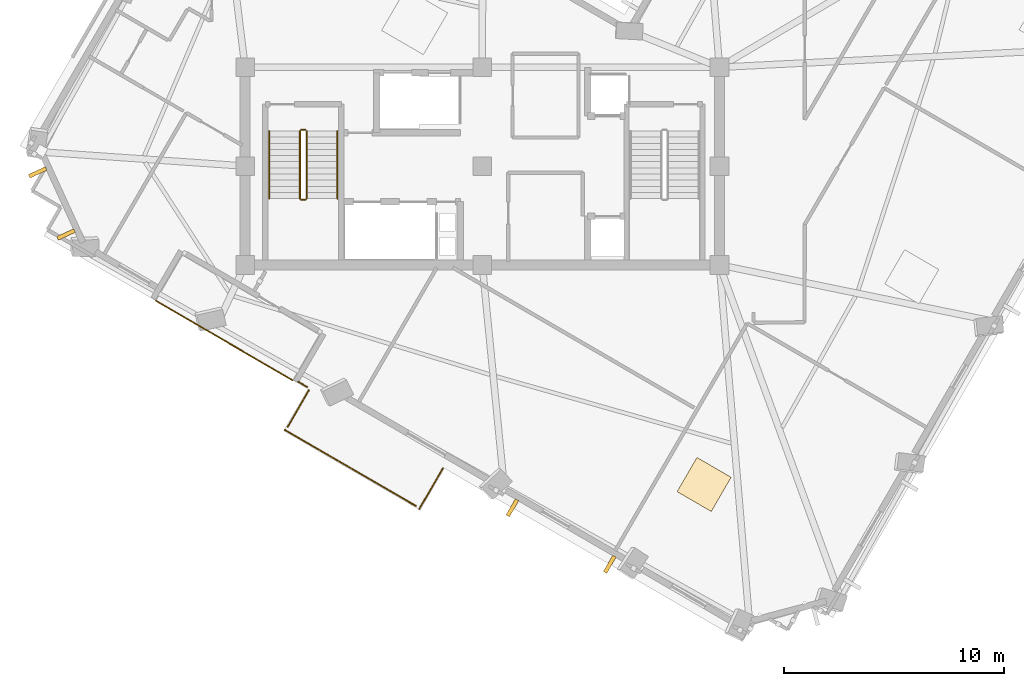
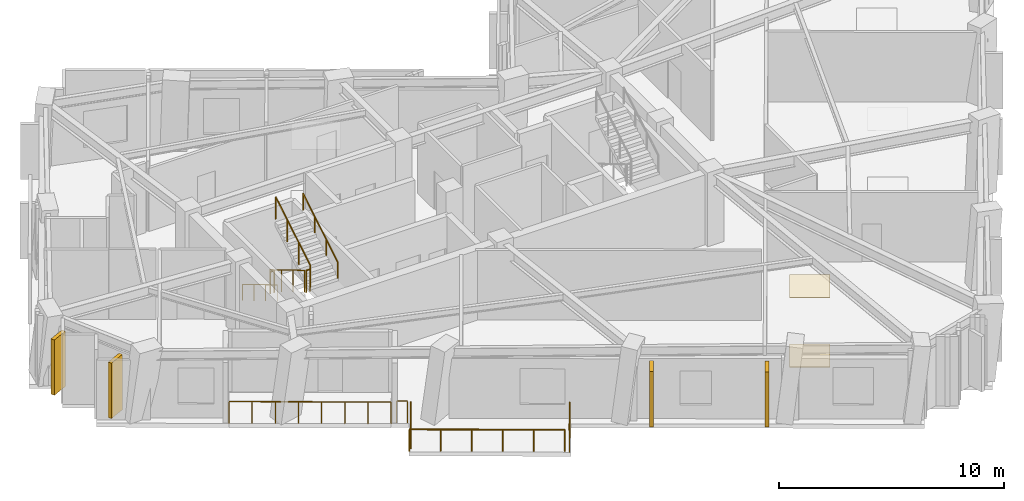
# One storey, part 9 of 12: 11 railings, 4 shading devices, 2 coverings.
"""IFC4 building model written with IfcOpenShell, lengths in metres."""

from ifc_helpers import new_model, si_unit, direction, frame, origin, origin_2d, place, context, subcontext, project, spatial, rectangle, circle, extrude, material, layer, layer_set, type_object, element, save


model = new_model("IFC4")

# Units and contexts
model_context = context("Model", 3, precision=1e-05, world=origin(), true_north=direction((0.0, 1.0)))
body_context = subcontext(model_context, "Body", "Model", "MODEL_VIEW")
ifc_project = project(units=[si_unit("LENGTHUNIT", "METRE"), si_unit("AREAUNIT", "SQUARE_METRE"), si_unit("VOLUMEUNIT", "CUBIC_METRE"), si_unit("PLANEANGLEUNIT", "RADIAN"), si_unit("MASSUNIT", "GRAM", prefix="KILO")], contexts=[model_context])

# Site, building, storey
site_placement = place(None, origin())
site = spatial("IfcSite", under=ifc_project, at=site_placement, CompositionType="ELEMENT")
building_placement = place(site_placement, origin())
building = spatial("IfcBuilding", under=site, at=building_placement, Name="Gaonmaruhae Medical Tower", CompositionType="ELEMENT")
storey_placement = place(building_placement, frame((0.0, 0.0, 280.60009765625)))
storey = spatial("IfcBuildingStorey", under=building, at=storey_placement, Name="L67", CompositionType="ELEMENT", Elevation=280.60009765625)

# Coverings
ifc_material_1 = material(Name="Acoustic mineral ceiling tile", Category="finish")
ifc_layer_1 = layer(ifc_material_1, 0.02490234375)
ifc_layer_set_1 = layer_set([ifc_layer_1], Name="Acoustic mineral ceiling tile")
covering_type_1 = type_object("IfcCoveringType", Name="CLG-01 Antimicrobial Acoustic Mineral Ceiling", PredefinedType="CEILING", material=ifc_layer_set_1)
covering_1_placement = place(storey_placement, frame((34.902099609375, -2.19873046875, 3.7548828125), z_axis=(0.0, 0.0, 1.0), x_axis=(0.502265533143, 0.86471344052, 0.0)))
element("IfcCovering", 1, at=covering_1_placement, inside=storey, type_object=covering_type_1, Name="L67 Clinical Room Acoustic Ceiling 2", PredefinedType="CEILING", context=body_context, shape_type="SweptSolid", body=[
    extrude(rectangle(XDim=1.800048828125, YDim=1.800048828125, at=origin_2d()), origin(), (0.0, 0.0, 1.0), 0.02490234375),
])
ifc_material_2 = material(Name="Seamless clinical vinyl flooring", Category="finish")
ifc_layer_2 = layer(ifc_material_2, 0.014892578125)
ifc_layer_set_2 = layer_set([ifc_layer_2], Name="Seamless clinical vinyl flooring")
covering_type_2 = type_object("IfcCoveringType", Name="FLR-01 Seamless Clinical Antistatic Vinyl Flooring", PredefinedType="FLOORING", material=ifc_layer_set_2)
covering_2_placement = place(storey_placement, frame((34.902099609375, -2.19873046875, 0.0), z_axis=(0.0, 0.0, 1.0), x_axis=(0.502265533143, 0.86471344052, 0.0)))
element("IfcCovering", 2, at=covering_2_placement, inside=storey, type_object=covering_type_2, Name="L67 Clinical Room Vinyl Flooring 2", PredefinedType="FLOORING", context=body_context, shape_type="SweptSolid", body=[
    extrude(rectangle(XDim=1.800048828125, YDim=1.800048828125, at=origin_2d()), origin(), (0.0, 0.0, 1.0), 0.014892578125),
])

# Railings
ifc_material_3 = material(Name="Stainless steel 316L and laminated safety glass", Category="steel")
ifc_layer_3 = layer(ifc_material_3, 0.080078125)
ifc_layer_set_3 = layer_set([ifc_layer_3], Name="Stainless steel 316L and laminated safety glass")
railing_type_1 = type_object("IfcRailingType", Name="GD-120 Outdoor Terrace Safety Glass & Steel Balustrade", PredefinedType="BALUSTRADE", material=ifc_layer_set_3)
railing_1_placement = place(storey_placement, frame((9.938232421875, 6.1630859375, 0.0)))
element("IfcRailing", 3, at=railing_1_placement, inside=storey, type_object=railing_type_1, Name="L67 Terrace Safety Guard RL-SLB-L67-TER-04", PredefinedType="BALUSTRADE", context=body_context, shape_type="SweptSolid", body=[
    extrude(circle(Radius=0.02392578125, at=origin_2d()), frame((0.0, 0.0, 1.17578125), z_axis=(0.864724342546, -0.502246763462, 0.0), x_axis=(0.502246763462, 0.864724342546, 0.0)), (0.0, 0.0, 1.0), 7.199951171875),
    extrude(circle(Radius=0.02099609375, at=origin_2d()), origin(), (0.0, 0.0, 1.0), 1.15185546875),
    extrude(circle(Radius=0.02099609375, at=origin_2d()), frame((0.889404296875, -0.5166015625, 0.0)), (0.0, 0.0, 1.0), 1.15185546875),
    extrude(circle(Radius=0.02099609375, at=origin_2d()), frame((1.77880859375, -1.033203125, 0.0)), (0.0, 0.0, 1.0), 1.15185546875),
    extrude(circle(Radius=0.02099609375, at=origin_2d()), frame((2.668212890625, -1.5498046875, 0.0)), (0.0, 0.0, 1.0), 1.15185546875),
    extrude(circle(Radius=0.02099609375, at=origin_2d()), frame((3.557861328125, -2.06640625, 0.0)), (0.0, 0.0, 1.0), 1.15185546875),
    extrude(circle(Radius=0.02099609375, at=origin_2d()), frame((4.447265625, -2.5830078125, 0.0)), (0.0, 0.0, 1.0), 1.15185546875),
    extrude(circle(Radius=0.02099609375, at=origin_2d()), frame((5.336669921875, -3.099609375, 0.0)), (0.0, 0.0, 1.0), 1.15185546875),
    extrude(circle(Radius=0.02099609375, at=origin_2d()), frame((6.22607421875, -3.6162109375, 0.0)), (0.0, 0.0, 1.0), 1.15185546875),
])
railing_2_placement = place(storey_placement, frame((23.01123046875, -1.453369140625, 0.0)))
element("IfcRailing", 4, at=railing_2_placement, inside=storey, type_object=railing_type_1, Name="L67 Perimeter Slab Edge Safety Balustrade 04", PredefinedType="BALUSTRADE", context=body_context, shape_type="SweptSolid", body=[
    extrude(circle(Radius=0.02392578125, at=origin_2d()), frame((0.0, 0.0, 1.17578125), z_axis=(-0.502225504814, -0.864736689585, 0.0), x_axis=(0.864736689585, -0.502225504814, 0.0)), (0.0, 0.0, 1.0), 2.159912109375),
    extrude(circle(Radius=0.02099609375, at=origin_2d()), origin(), (0.0, 0.0, 1.0), 1.15185546875),
    extrude(circle(Radius=0.02099609375, at=origin_2d()), frame((-0.54248046875, -0.933837890625, 0.0)), (0.0, 0.0, 1.0), 1.15185546875),
    extrude(circle(Radius=0.02099609375, at=origin_2d()), frame((-1.084716796875, -1.86767578125, 0.0)), (0.0, 0.0, 1.0), 1.15185546875),
])
railing_3_placement = place(storey_placement, frame((21.77001953125, -3.17236328125, 0.0)))
element("IfcRailing", 5, at=railing_3_placement, inside=storey, type_object=railing_type_1, Name="L67 Perimeter Slab Edge Safety Balustrade 05", PredefinedType="BALUSTRADE", context=body_context, shape_type="SweptSolid", body=[
    extrude(circle(Radius=0.02392578125, at=origin_2d()), frame((0.0, 0.0, 1.17578125), z_axis=(-0.864718062434, 0.502257575852, 0.0), x_axis=(-0.502257575852, -0.864718062434, 0.0)), (0.0, 0.0, 1.0), 6.89990234375),
    extrude(circle(Radius=0.02099609375, at=origin_2d()), origin(), (0.0, 0.0, 1.0), 1.15185546875),
    extrude(circle(Radius=0.02099609375, at=origin_2d()), frame((-1.193359375, 0.693115234375, 0.0)), (0.0, 0.0, 1.0), 1.15185546875),
    extrude(circle(Radius=0.02099609375, at=origin_2d()), frame((-2.38671875, 1.38623046875, 0.0)), (0.0, 0.0, 1.0), 1.15185546875),
    extrude(circle(Radius=0.02099609375, at=origin_2d()), frame((-3.579833984375, 2.079345703125, 0.0)), (0.0, 0.0, 1.0), 1.15185546875),
    extrude(circle(Radius=0.02099609375, at=origin_2d()), frame((-4.773193359375, 2.7724609375, 0.0)), (0.0, 0.0, 1.0), 1.15185546875),
    extrude(circle(Radius=0.02099609375, at=origin_2d()), frame((-5.966552734375, 3.465576171875, 0.0)), (0.0, 0.0, 1.0), 1.15185546875),
])
railing_4_placement = place(storey_placement, frame((15.94140625, 0.430908203125, 0.0)))
element("IfcRailing", 6, at=railing_4_placement, inside=storey, type_object=railing_type_1, Name="L67 Perimeter Slab Edge Safety Balustrade 06", PredefinedType="BALUSTRADE", context=body_context, shape_type="SweptSolid", body=[
    extrude(circle(Radius=0.02392578125, at=origin_2d()), frame((0.0, 0.0, 1.17578125), z_axis=(0.502242792225, 0.864726649097, 0.0), x_axis=(-0.864726649097, 0.502242792225, 0.0)), (0.0, 0.0, 1.0), 1.921630859375),
    extrude(circle(Radius=0.02099609375, at=origin_2d()), origin(), (0.0, 0.0, 1.0), 1.15185546875),
    extrude(circle(Radius=0.02099609375, at=origin_2d()), frame((0.482421875, 0.830810546875, 0.0)), (0.0, 0.0, 1.0), 1.15185546875),
    extrude(circle(Radius=0.02099609375, at=origin_2d()), frame((0.965087890625, 1.66162109375, 0.0)), (0.0, 0.0, 1.0), 1.15185546875),
])
railing_5_placement = place(storey_placement, frame((16.822021484375, 2.24560546875, 0.0)))
element("IfcRailing", 7, at=railing_5_placement, inside=storey, type_object=railing_type_1, Name="L67 Perimeter Slab Edge Safety Balustrade 07", PredefinedType="BALUSTRADE", context=body_context, shape_type="SweptSolid", body=[
    extrude(circle(Radius=0.02392578125, at=origin_2d()), frame((0.0, 0.0, 1.17578125), z_axis=(-0.86458940341, 0.502479017982, 0.0), x_axis=(-0.502479017982, -0.86458940341, 0.0)), (0.0, 0.0, 1.0), 0.47998046875),
    extrude(circle(Radius=0.02099609375, at=origin_2d()), origin(), (0.0, 0.0, 1.0), 1.15185546875),
    extrude(circle(Radius=0.02099609375, at=origin_2d()), frame((-0.4150390625, 0.2412109375, 0.0)), (0.0, 0.0, 1.0), 1.15185546875),
])
ifc_material_4 = material(Name="Stainless steel 304 handrail", Category="steel")
railing_type_2 = type_object("IfcRailingType", Name="HR-092 Continuous Stainless Steel Stair Handrail", PredefinedType="HANDRAIL", material=ifc_material_4)
railing_6_placement = place(storey_placement, frame((15.10009765625, 13.89990234375, 0.16650390625)))
element("IfcRailing", 8, at=railing_6_placement, inside=storey, type_object=railing_type_2, Name="L67 ST-01 stair handrail 1", PredefinedType="HANDRAIL", context=body_context, shape_type="SweptSolid", body=[
    extrude(circle(Radius=0.02392578125, at=origin_2d()), frame((0.0, 0.0, 0.8759765625), z_axis=(0.0, -0.859260807169, 0.511537745687), x_axis=(1.0, 0.0, 0.0)), (0.0, 0.0, 1.0), 3.584228515625),
    extrude(circle(Radius=0.02099609375, at=origin_2d()), origin(), (0.0, 0.0, 1.0), 0.851806640625),
    extrude(circle(Radius=0.02099609375, at=origin_2d()), frame((0.0, -1.026611328125, 0.611083984375)), (0.0, 0.0, 1.0), 0.851806640625),
    extrude(circle(Radius=0.02099609375, at=origin_2d()), frame((0.0, -2.05322265625, 1.222412109375)), (0.0, 0.0, 1.0), 0.851806640625),
    extrude(circle(Radius=0.02099609375, at=origin_2d()), frame((0.0, -3.079833984375, 1.83349609375)), (0.0, 0.0, 1.0), 0.851806640625),
])
railing_7_placement = place(storey_placement, frame((18.199951171875, 10.820068359375, 2.16650390625)))
element("IfcRailing", 9, at=railing_7_placement, inside=storey, type_object=railing_type_2, Name="L67 ST-01 stair handrail 2", PredefinedType="HANDRAIL", context=body_context, shape_type="SweptSolid", body=[
    extrude(circle(Radius=0.02392578125, at=origin_2d()), frame((0.0, 0.0, 0.8759765625), z_axis=(0.0, 0.859260807169, 0.511537745687), x_axis=(-1.0, 0.0, 0.0)), (0.0, 0.0, 1.0), 3.584228515625),
    extrude(circle(Radius=0.02099609375, at=origin_2d()), origin(), (0.0, 0.0, 1.0), 0.851806640625),
    extrude(circle(Radius=0.02099609375, at=origin_2d()), frame((0.0, 1.026611328125, 0.611083984375)), (0.0, 0.0, 1.0), 0.851806640625),
    extrude(circle(Radius=0.02099609375, at=origin_2d()), frame((0.0, 2.05322265625, 1.222412109375)), (0.0, 0.0, 1.0), 0.851806640625),
    extrude(circle(Radius=0.02099609375, at=origin_2d()), frame((0.0, 3.079833984375, 1.83349609375)), (0.0, 0.0, 1.0), 0.851806640625),
])

# Shading devices
ifc_material_5 = material(Name="Pigmented coral precast concrete C45/55", Category="concrete")
shading_device_type = type_object("IfcShadingDeviceType", Name="SD-FIN1 Tower Vertical Coral Precast Shading Fin", PredefinedType="USERDEFINED", material=ifc_material_5)
for number, where, z_axis, x_axis, name in (
    (10, (5.84521484375, 9.187255859375, 0.13232421875), (0.0, 0.0, 1.0), (-0.416772675383, 0.909010746391, 0.0), "L67 Vertical Coral Precast Shading Fin N03"),
    (11, (4.5498046875, 12.012451171875, 0.13232421875), (0.0, 0.0, 1.0), (-0.416772675383, 0.909010746391, 0.0), "L67 Vertical Coral Precast Shading Fin N03B"),
    (12, (30.60400390625, -5.834716796875, 0.13232421875), (0.0, 0.0, 1.0), (-0.86471344052, 0.502265533143, 0.0), "L67 Vertical Coral Precast Shading Fin W04"),
    (13, (26.172119140625, -3.260498046875, 0.13232421875), (0.0, 0.0, 1.0), (-0.86471344052, 0.502265533143, 0.0), "L67 Vertical Coral Precast Shading Fin W04B"),
):
    element("IfcShadingDevice", number, at=place(storey_placement, frame(where, z_axis=z_axis, x_axis=x_axis)), inside=storey, type_object=shading_device_type, Name=name, ObjectType="FIN", PredefinedType="USERDEFINED", context=body_context, shape_type="SweptSolid", body=[
        extrude(rectangle(XDim=0.179931640625, YDim=0.85009765625, at=origin_2d()), origin(), (0.0, 0.0, 1.0), 3.0),
    ])

# Railings
ifc_material_6 = material(Name="Stainless steel 304 balustrade", Category="steel")
railing_type_3 = type_object("IfcRailingType", Name="SG-112 Stair Well & Ramp Void Safety Balustrade", PredefinedType="BALUSTRADE", material=ifc_material_6)
railing_8_placement = place(storey_placement, frame((16.5, 13.89990234375, 0.16650390625)))
element("IfcRailing", 14, at=railing_8_placement, inside=storey, type_object=railing_type_3, Name="L67 ST-01 stair guard 1", PredefinedType="BALUSTRADE", context=body_context, shape_type="SweptSolid", body=[
    extrude(circle(Radius=0.02392578125, at=origin_2d()), frame((0.0, 0.0, 1.17578125), z_axis=(0.0, -0.859260807169, 0.511537745687), x_axis=(1.0, 0.0, 0.0)), (0.0, 0.0, 1.0), 3.584228515625),
    extrude(circle(Radius=0.02099609375, at=origin_2d()), origin(), (0.0, 0.0, 1.0), 1.15185546875),
    extrude(circle(Radius=0.02099609375, at=origin_2d()), frame((0.0, -1.026611328125, 0.611083984375)), (0.0, 0.0, 1.0), 1.15185546875),
    extrude(circle(Radius=0.02099609375, at=origin_2d()), frame((0.0, -2.05322265625, 1.222412109375)), (0.0, 0.0, 1.0), 1.15185546875),
    extrude(circle(Radius=0.02099609375, at=origin_2d()), frame((0.0, -3.079833984375, 1.83349609375)), (0.0, 0.0, 1.0), 1.15185546875),
])
railing_9_placement = place(storey_placement, frame((16.550048828125, 10.77001953125, 2.0)))
element("IfcRailing", 15, at=railing_9_placement, inside=storey, type_object=railing_type_3, Name="L67 ST-01 stair guard 2", PredefinedType="BALUSTRADE", context=body_context, shape_type="SweptSolid", body=[
    extrude(circle(Radius=0.02392578125, at=origin_2d()), frame((0.0, 0.0, 1.17578125), z_axis=(1.0, 0.0, 0.0), x_axis=(0.0, 1.0, 0.0)), (0.0, 0.0, 1.0), 0.199951171875),
    extrude(circle(Radius=0.02099609375, at=origin_2d()), origin(), (0.0, 0.0, 1.0), 1.15185546875),
    extrude(circle(Radius=0.02099609375, at=origin_2d()), frame((0.199951171875, 0.0, 0.0)), (0.0, 0.0, 1.0), 1.15185546875),
])
railing_10_placement = place(storey_placement, frame((16.800048828125, 10.820068359375, 2.16650390625)))
element("IfcRailing", 16, at=railing_10_placement, inside=storey, type_object=railing_type_3, Name="L67 ST-01 stair guard 3", PredefinedType="BALUSTRADE", context=body_context, shape_type="SweptSolid", body=[
    extrude(circle(Radius=0.02392578125, at=origin_2d()), frame((0.0, 0.0, 1.17578125), z_axis=(0.0, 0.859260807169, 0.511537745687), x_axis=(-1.0, 0.0, 0.0)), (0.0, 0.0, 1.0), 3.584228515625),
    extrude(circle(Radius=0.02099609375, at=origin_2d()), origin(), (0.0, 0.0, 1.0), 1.15185546875),
    extrude(circle(Radius=0.02099609375, at=origin_2d()), frame((0.0, 1.026611328125, 0.611083984375)), (0.0, 0.0, 1.0), 1.15185546875),
    extrude(circle(Radius=0.02099609375, at=origin_2d()), frame((0.0, 2.05322265625, 1.222412109375)), (0.0, 0.0, 1.0), 1.15185546875),
    extrude(circle(Radius=0.02099609375, at=origin_2d()), frame((0.0, 3.079833984375, 1.83349609375)), (0.0, 0.0, 1.0), 1.15185546875),
])
railing_11_placement = place(storey_placement, frame((16.550048828125, 13.949951171875, 0.0)))
element("IfcRailing", 17, at=railing_11_placement, inside=storey, type_object=railing_type_3, Name="L67 ST-01 stair guard 4", PredefinedType="BALUSTRADE", context=body_context, shape_type="SweptSolid", body=[
    extrude(circle(Radius=0.02392578125, at=origin_2d()), frame((0.0, 0.0, 1.17578125), z_axis=(1.0, 0.0, 0.0), x_axis=(0.0, 1.0, 0.0)), (0.0, 0.0, 1.0), 0.199951171875),
    extrude(circle(Radius=0.02099609375, at=origin_2d()), origin(), (0.0, 0.0, 1.0), 1.15185546875),
    extrude(circle(Radius=0.02099609375, at=origin_2d()), frame((0.199951171875, 0.0, 0.0)), (0.0, 0.0, 1.0), 1.15185546875),
])

save(model, "model.ifc")
